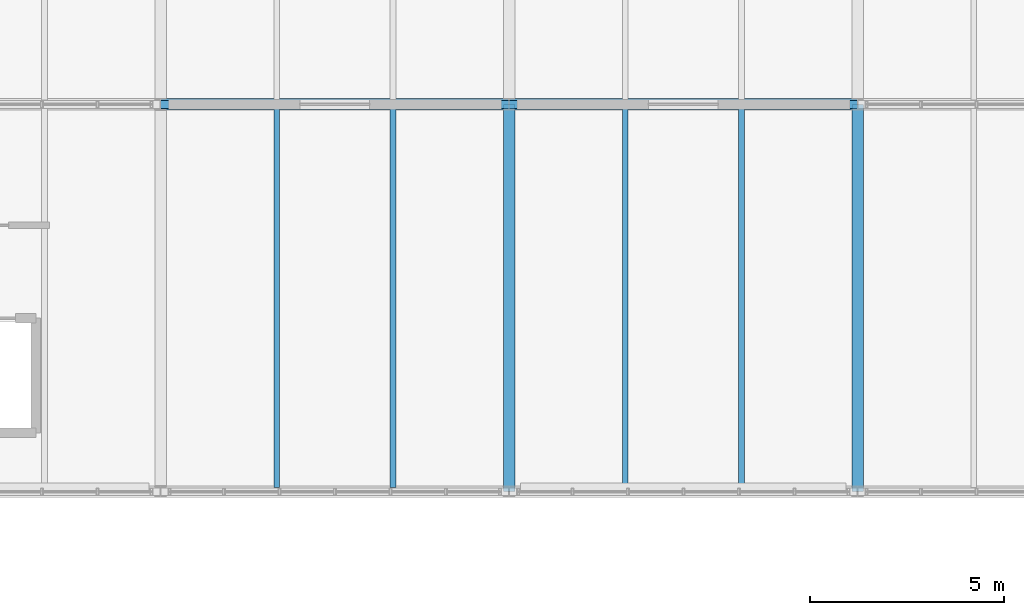
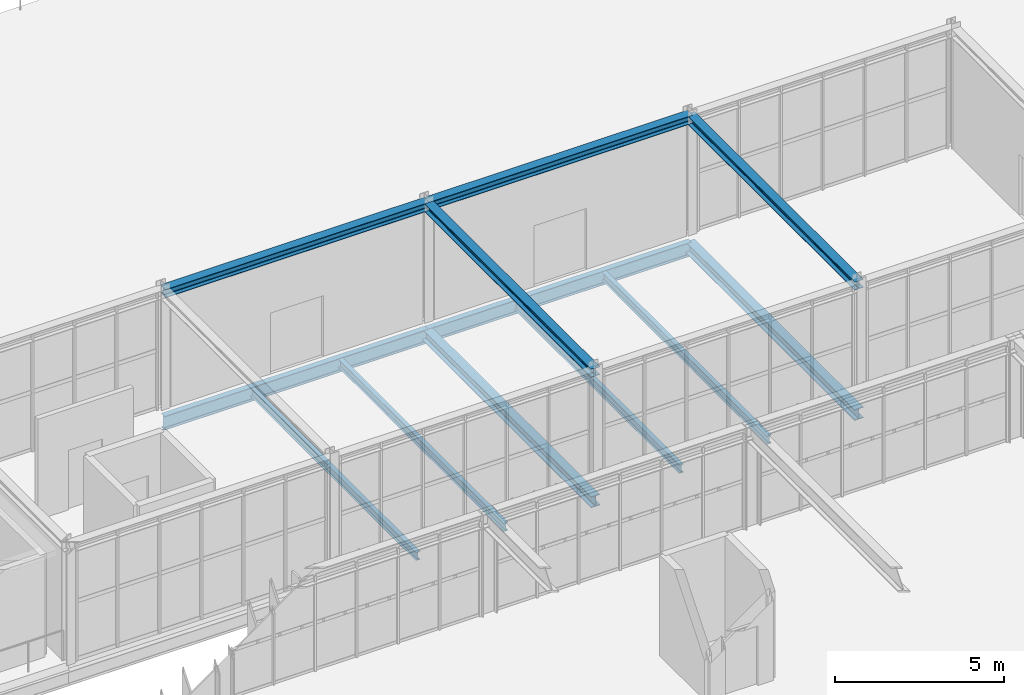
# One storey, part 63 of 152: 12 beams.
"""IFC4 building model written with IfcOpenShell, lengths in metres."""

from ifc_helpers import new_model, si_unit, derived_unit, direction, frame, origin, origin_2d, place, context, subcontext, project, spatial, i_section, extrude, material, material_profile, profile_set, type_object, element, save


model = new_model("IFC4")

# Units and contexts
model_context = context("Model", 3, precision=1e-05, world=origin(), true_north=direction((0.0, 1.0)))
body_context = subcontext(model_context, "Body", "Model", "MODEL_VIEW")
ifc_project = project(units=[si_unit("LENGTHUNIT", "METRE"), si_unit("AREAUNIT", "SQUARE_METRE"), si_unit("VOLUMEUNIT", "CUBIC_METRE"), si_unit("PLANEANGLEUNIT", "RADIAN"), si_unit("MASSUNIT", "GRAM", prefix="KILO"), si_unit("THERMODYNAMICTEMPERATUREUNIT", "KELVIN"), si_unit("TIMEUNIT", "SECOND"), derived_unit("THERMALTRANSMITTANCEUNIT", [(si_unit("MASSUNIT", "GRAM", prefix="KILO"), 1), (si_unit("THERMODYNAMICTEMPERATUREUNIT", "KELVIN"), -1), (si_unit("TIMEUNIT", "SECOND"), -3)])], contexts=[model_context])

# Site, building, storey
site_placement = place(None, origin())
site = spatial("IfcSite", under=ifc_project, at=site_placement, CompositionType="ELEMENT")
building_placement = place(site_placement, origin())
building = spatial("IfcBuilding", under=site, at=building_placement, Name="Cambertide Market Hall", CompositionType="ELEMENT")
storey_placement = place(building_placement, frame((0.0, 0.0, 5.39990234375)))
storey = spatial("IfcBuildingStorey", under=building, at=storey_placement, Name="L02", CompositionType="ELEMENT", Elevation=5.39990234375)

# Beams
ifc_material_1 = material(Name="Steel S355", Category="steel")
ifc_material_profile_1 = material_profile(ifc_material_1, i_section(OverallWidth=0.300048828125, OverallDepth=0.300048828125, WebThickness=0.010986328125, FlangeThickness=0.01904296875, FilletRadius=0.027099609375, at=origin_2d()), Name="HEB 300")
ifc_profile_set_1 = profile_set([ifc_material_profile_1], Name="Steel S355")
beam_type_1 = type_object("IfcBeamType", Name="Exterior Steel Girder HEB 300", PredefinedType="BEAM", material=ifc_profile_set_1)
for number, where, z_axis, x_axis, name in (
    (1, (57.0, 106.0, 4.170166015625), (1.0, 0.0, 0.0), (0.0, 1.0, 0.0), "Level 2 Beam BM-V2PAV-X-5-1"),
    (2, (66.0, 106.0, 4.170166015625), (1.0, 0.0, 0.0), (0.0, 1.0, 0.0), "Level 2 Beam BM-V2PAV-X-6-1"),
):
    element("IfcBeam", number, at=place(storey_placement, frame(where, z_axis=z_axis, x_axis=x_axis)), inside=storey, type_object=beam_type_1, Name=name, PredefinedType="BEAM", context=body_context, shape_type="SweptSolid", body=[
        extrude(i_section(OverallWidth=0.300048828125, OverallDepth=0.300048828125, WebThickness=0.010986328125, FlangeThickness=0.01904296875, FilletRadius=0.027099609375, at=origin_2d()), origin(), (0.0, 0.0, 1.0), 9.0),
    ])
for number, where, z_axis, x_axis, name in (
    (3, (66.0, 96.0, 4.170166015625), (0.0, 1.0, 0.0), (-1.0, 0.0, 0.0), "Level 2 Beam BM-V2PAV-Y-6"),
    (4, (75.0, 96.0, 4.170166015625), (0.0, 1.0, 0.0), (-1.0, 0.0, 0.0), "Level 2 Beam BM-V2PAV-Y-7"),
):
    element("IfcBeam", number, at=place(storey_placement, frame(where, z_axis=z_axis, x_axis=x_axis)), inside=storey, type_object=beam_type_1, Name=name, PredefinedType="BEAM", context=body_context, shape_type="SweptSolid", body=[
        extrude(i_section(OverallWidth=0.300048828125, OverallDepth=0.300048828125, WebThickness=0.010986328125, FlangeThickness=0.01904296875, FilletRadius=0.027099609375, at=origin_2d()), origin(), (0.0, 0.0, 1.0), 10.0),
    ])
ifc_material_2 = material(Name="Steel S355", Category="steel")
ifc_material_profile_2 = material_profile(ifc_material_2, i_section(OverallWidth=0.300048828125, OverallDepth=0.39990234375, WebThickness=0.013427734375, FlangeThickness=0.02392578125, FilletRadius=0.027099609375, at=origin_2d()), Name="HEB 400")
ifc_profile_set_2 = profile_set([ifc_material_profile_2], Name="Steel S355")
beam_type_2 = type_object("IfcBeamType", Name="Steel Girder HEB 400", PredefinedType="BEAM", material=ifc_profile_set_2)
for number, where, z_axis, x_axis, name in (
    (5, (66.0, 96.0, -0.489990234375), (0.0, 1.0, 0.0), (-1.0, 0.0, 0.0), "Level 2 Beam BM-V2Y-L02-7-1"),
    (6, (75.0, 96.0, -0.489990234375), (0.0, 1.0, 0.0), (-1.0, 0.0, 0.0), "Level 2 Beam BM-V2Y-L02-8-1"),
):
    element("IfcBeam", number, at=place(storey_placement, frame(where, z_axis=z_axis, x_axis=x_axis)), inside=storey, type_object=beam_type_2, Name=name, PredefinedType="BEAM", context=body_context, shape_type="SweptSolid", body=[
        extrude(i_section(OverallWidth=0.300048828125, OverallDepth=0.39990234375, WebThickness=0.013427734375, FlangeThickness=0.02392578125, FilletRadius=0.027099609375, at=origin_2d()), origin(), (0.0, 0.0, 1.0), 10.0),
    ])
ifc_material_3 = material(Name="Steel S355", Category="steel")
ifc_material_profile_3 = material_profile(ifc_material_3, i_section(OverallWidth=0.199951171875, OverallDepth=0.5, WebThickness=0.01025390625, FlangeThickness=0.01611328125, FilletRadius=0.02099609375, at=origin_2d()), Name="IPE 500")
ifc_profile_set_3 = profile_set([ifc_material_profile_3], Name="Steel S355")
beam_type_3 = type_object("IfcBeamType", Name="Steel Girder IPE 500", PredefinedType="BEAM", material=ifc_profile_set_3)
for number, where, z_axis, x_axis, name in (
    (7, (57.0, 106.0, -0.539794921875), (1.0, 0.0, 0.0), (0.0, 1.0, 0.0), "Level 2 Beam BM-V2X-L02-6-2"),
    (8, (66.0, 106.0, -0.539794921875), (1.0, 0.0, 0.0), (0.0, 1.0, 0.0), "Level 2 Beam BM-V2X-L02-7-2"),
):
    element("IfcBeam", number, at=place(storey_placement, frame(where, z_axis=z_axis, x_axis=x_axis)), inside=storey, type_object=beam_type_3, Name=name, PredefinedType="BEAM", context=body_context, shape_type="SweptSolid", body=[
        extrude(i_section(OverallWidth=0.199951171875, OverallDepth=0.5, WebThickness=0.01025390625, FlangeThickness=0.01611328125, FilletRadius=0.02099609375, at=origin_2d()), origin(), (0.0, 0.0, 1.0), 9.0),
    ])
ifc_material_4 = material(Name="Steel S275", Category="steel")
ifc_material_profile_4 = material_profile(ifc_material_4, i_section(OverallWidth=0.14990234375, OverallDepth=0.300048828125, WebThickness=0.007080078125, FlangeThickness=0.0107421875, FilletRadius=0.014892578125, at=origin_2d()), Name="IPE 300")
ifc_profile_set_4 = profile_set([ifc_material_profile_4], Name="Steel S275")
beam_type_4 = type_object("IfcBeamType", Name="Steel Secondary Joist IPE 300", PredefinedType="JOIST", material=ifc_profile_set_4)
for number, where, z_axis, x_axis, name in (
    (9, (60.0, 96.10791015625, -0.43994140625), (0.0, 1.0, 0.0), (-1.0, 0.0, 0.0), "Level 2 Joist JS-V2-L02-6-1-1"),
    (10, (63.0, 96.10791015625, -0.43994140625), (0.0, 1.0, 0.0), (-1.0, 0.0, 0.0), "Level 2 Joist JS-V2-L02-6-1-2"),
    (11, (69.0, 96.10791015625, -0.43994140625), (0.0, 1.0, 0.0), (-1.0, 0.0, 0.0), "Level 2 Joist JS-V2-L02-7-1-1"),
    (12, (72.0, 96.10791015625, -0.43994140625), (0.0, 1.0, 0.0), (-1.0, 0.0, 0.0), "Level 2 Joist JS-V2-L02-7-1-2"),
):
    element("IfcBeam", number, at=place(storey_placement, frame(where, z_axis=z_axis, x_axis=x_axis)), inside=storey, type_object=beam_type_4, Name=name, PredefinedType="JOIST", context=body_context, shape_type="SweptSolid", body=[
        extrude(i_section(OverallWidth=0.14990234375, OverallDepth=0.300048828125, WebThickness=0.007080078125, FlangeThickness=0.0107421875, FilletRadius=0.014892578125, at=origin_2d()), origin(), (0.0, 0.0, 1.0), 9.7841796875),
    ])

save(model, "model.ifc")
